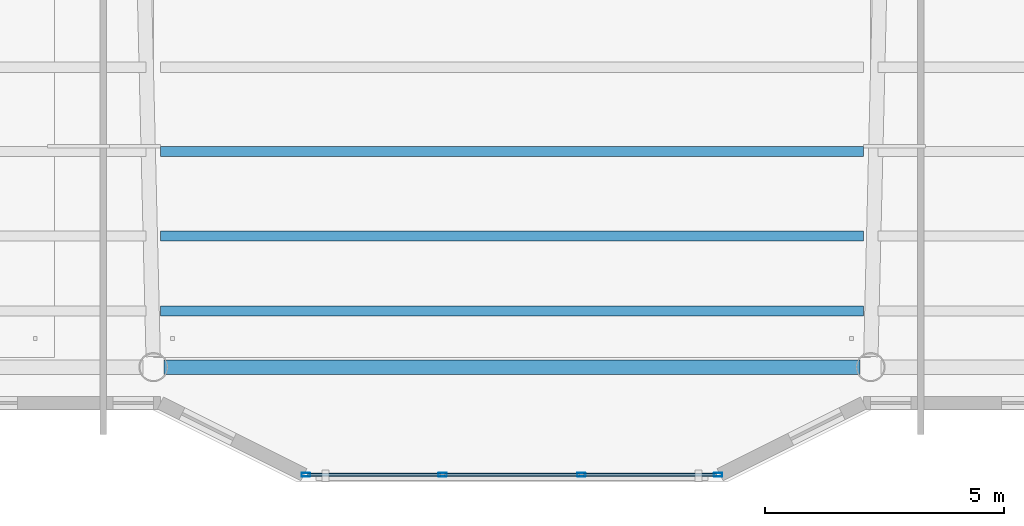
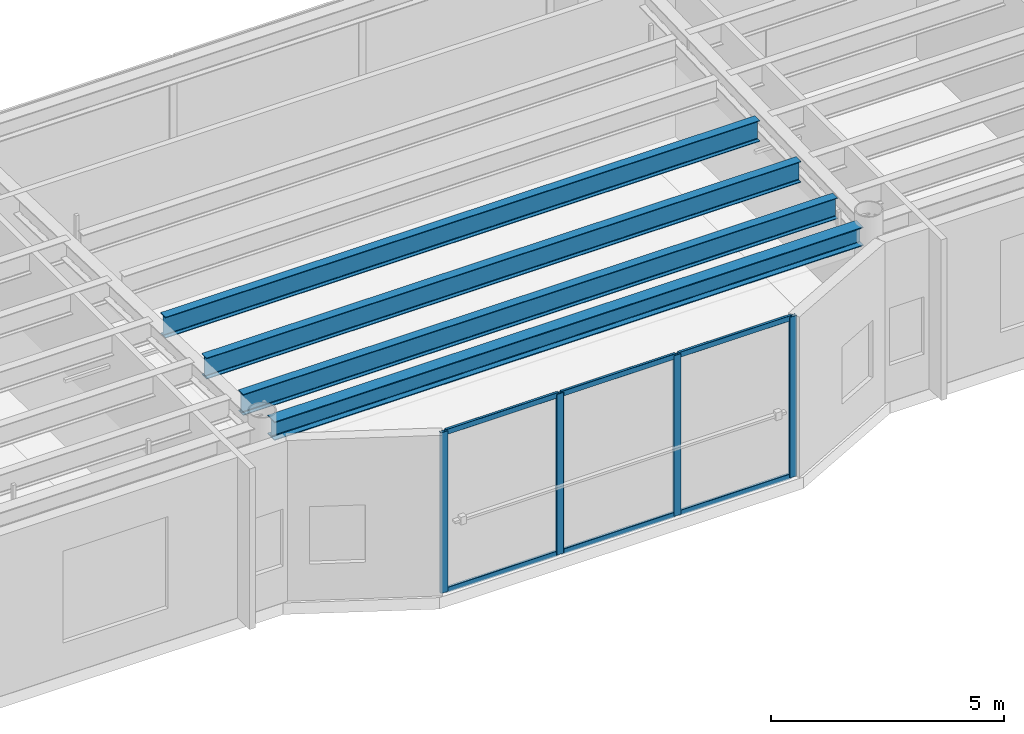
# One storey, part 5 of 33: 10 members, 4 beams, 1 element without a shape of its own.
"""IFC4 building model written with IfcOpenShell, lengths in metres."""

from ifc_helpers import new_model, si_unit, direction, frame, origin, origin_2d, place, context, subcontext, project, spatial, hollow_rectangle, i_section, extrude, material, layer, layer_set, material_profile, profile_set, type_object, element, aggregate, save


model = new_model("IFC4")

# Units and contexts
model_context = context("Model", 3, precision=1e-05, world=origin(), true_north=direction((0.0, 1.0)))
body_context = subcontext(model_context, "Body", "Model", "MODEL_VIEW")
ifc_project = project(units=[si_unit("LENGTHUNIT", "METRE"), si_unit("AREAUNIT", "SQUARE_METRE"), si_unit("VOLUMEUNIT", "CUBIC_METRE"), si_unit("PLANEANGLEUNIT", "RADIAN"), si_unit("MASSUNIT", "GRAM", prefix="KILO")], contexts=[model_context])

# Site, building, storey
site_placement = place(None, origin())
site = spatial("IfcSite", under=ifc_project, at=site_placement, CompositionType="ELEMENT")
building_placement = place(site_placement, origin())
building = spatial("IfcBuilding", under=site, at=building_placement, Name="Tarnavaz Court Tower", CompositionType="ELEMENT")
storey_placement = place(building_placement, frame((0.0, 0.0, 172.800048828125)))
storey = spatial("IfcBuildingStorey", under=building, at=storey_placement, Name="L47", CompositionType="ELEMENT", Elevation=172.800048828125)

# Beams
ifc_material_1 = material(Name="Steel S355", Category="steel")
ifc_material_profile_1 = material_profile(ifc_material_1, i_section(OverallWidth=0.2099609375, OverallDepth=0.550048828125, WebThickness=0.010986328125, FlangeThickness=0.01708984375, FilletRadius=0.02392578125, at=origin_2d()), Name="IPE 550")
ifc_profile_set_1 = profile_set([ifc_material_profile_1], Name="Steel S355")
beam_type_1 = type_object("IfcBeamType", Name="BM-J-IPE550", PredefinedType="JOIST", material=ifc_profile_set_1)
for number, where, z_axis, x_axis, name in (
    (1, (-7.35009765625, -15.89208984375, 3.925048828125), (1.0, 0.0, 0.0), (0.0, 1.0, 0.0), "L47 Beam JS3-2"),
    (2, (-7.35009765625, -17.656005859375, 3.925048828125), (1.0, 0.0, 0.0), (0.0, 1.0, 0.0), "L47 Beam JS4-2"),
    (3, (-7.35009765625, -19.22412109375, 3.925048828125), (1.0, 0.0, 0.0), (0.0, 1.0, 0.0), "L47 Beam JS5-2"),
):
    element("IfcBeam", number, at=place(storey_placement, frame(where, z_axis=z_axis, x_axis=x_axis)), inside=storey, type_object=beam_type_1, Name=name, PredefinedType="JOIST", context=body_context, shape_type="SweptSolid", body=[
        extrude(i_section(OverallWidth=0.2099609375, OverallDepth=0.550048828125, WebThickness=0.010986328125, FlangeThickness=0.01708984375, FilletRadius=0.02392578125, at=origin_2d()), origin(), (0.0, 0.0, 1.0), 14.7001953125),
    ])
ifc_material_profile_2 = material_profile(ifc_material_1, i_section(OverallWidth=0.300048828125, OverallDepth=0.489990234375, WebThickness=0.011962890625, FlangeThickness=0.02294921875, FilletRadius=0.027099609375, at=origin_2d()), Name="HEA 500")
ifc_profile_set_2 = profile_set([ifc_material_profile_2], Name="Steel S355")
beam_type_2 = type_object("IfcBeamType", Name="BM-SP-HEA500", PredefinedType="SPANDREL", material=ifc_profile_set_2)
beam_placement = place(storey_placement, frame((-7.280029296875, -20.39990234375, 3.954833984375), z_axis=(1.0, 0.0, 0.0), x_axis=(0.0, 1.0, 0.0)))
element("IfcBeam", 4, at=beam_placement, inside=storey, type_object=beam_type_2, Name="L47 Beam PR-PS-2-PS-3", PredefinedType="SPANDREL", context=body_context, shape_type="SweptSolid", body=[
    extrude(i_section(OverallWidth=0.300048828125, OverallDepth=0.489990234375, WebThickness=0.011962890625, FlangeThickness=0.02294921875, FilletRadius=0.027099609375, at=origin_2d()), origin(), (0.0, 0.0, 1.0), 14.56005859375),
])

# Curtain wall, members
ifc_material_2 = material(Name="Anodised Aluminium 6063-T6 and Solar Low-E Glazing", Category="aluminium")
ifc_layer = layer(ifc_material_2, 0.159912109375)
ifc_layer_set = layer_set([ifc_layer], Name="Anodised Aluminium 6063-T6 and Solar Low-E Glazing")
curtain_wall_type = type_object("IfcCurtainWallType", Name="CW-SYS-03", PredefinedType="NOTDEFINED", material=ifc_layer_set)
curtain_wall_placement = place(storey_placement, origin())
curtain_wall = element("IfcCurtainWall", 5, at=curtain_wall_placement, inside=storey, type_object=curtain_wall_type, Name="L47 Iwan Prow Curtain Wall 17", PredefinedType="NOTDEFINED")
ifc_material_3 = material(Name="Anodised Aluminium 6063-T6", Category="aluminium")
ifc_material_profile_3 = material_profile(ifc_material_3, hollow_rectangle(XDim=0.074951171875, YDim=0.179931640625, WallThickness=0.0048828125, InnerFilletRadius=0.0048828125, OuterFilletRadius=0.010009765625, at=origin_2d()), Name="ALU RHS 180X75X5")
ifc_profile_set_3 = profile_set([ifc_material_profile_3], Name="Anodised Aluminium 6063-T6")
member_type_1 = type_object("IfcMemberType", Name="CW-MUL-180", PredefinedType="MULLION", material=ifc_profile_set_3)
member_1_placement = place(storey_placement, frame((4.3125, -22.64990234375, 0.0), z_axis=(0.0, 0.0, 1.0), x_axis=(0.0, -1.0, 0.0)))
member_1 = element("IfcMember", 6, at=member_1_placement, type_object=member_type_1, Name="CW mullion 1", PredefinedType="MULLION", context=body_context, shape_type="SweptSolid", body=[
    extrude(hollow_rectangle(XDim=0.074951171875, YDim=0.179931640625, WallThickness=0.0048828125, InnerFilletRadius=0.0048828125, OuterFilletRadius=0.010009765625, at=origin_2d()), origin(), (0.0, 0.0, 1.0), 4.199951171875),
])
member_2_placement = place(storey_placement, frame((1.449951171875, -22.64990234375, 0.0), z_axis=(0.0, 0.0, 1.0), x_axis=(0.0, -1.0, 0.0)))
member_2 = element("IfcMember", 7, at=member_2_placement, type_object=member_type_1, Name="CW mullion 2", PredefinedType="MULLION", context=body_context, shape_type="SweptSolid", body=[
    extrude(hollow_rectangle(XDim=0.074951171875, YDim=0.179931640625, WallThickness=0.0048828125, InnerFilletRadius=0.0048828125, OuterFilletRadius=0.010009765625, at=origin_2d()), origin(), (0.0, 0.0, 1.0), 4.199951171875),
])
member_3_placement = place(storey_placement, frame((-1.449951171875, -22.64990234375, 0.0), z_axis=(0.0, 0.0, 1.0), x_axis=(0.0, -1.0, 0.0)))
member_3 = element("IfcMember", 8, at=member_3_placement, type_object=member_type_1, Name="CW mullion 3", PredefinedType="MULLION", context=body_context, shape_type="SweptSolid", body=[
    extrude(hollow_rectangle(XDim=0.074951171875, YDim=0.179931640625, WallThickness=0.0048828125, InnerFilletRadius=0.0048828125, OuterFilletRadius=0.010009765625, at=origin_2d()), origin(), (0.0, 0.0, 1.0), 4.199951171875),
])
member_4_placement = place(storey_placement, frame((-4.3125, -22.64990234375, 0.0), z_axis=(0.0, 0.0, 1.0), x_axis=(0.0, -1.0, 0.0)))
member_4 = element("IfcMember", 9, at=member_4_placement, type_object=member_type_1, Name="CW mullion 4", PredefinedType="MULLION", context=body_context, shape_type="SweptSolid", body=[
    extrude(hollow_rectangle(XDim=0.074951171875, YDim=0.179931640625, WallThickness=0.0048828125, InnerFilletRadius=0.0048828125, OuterFilletRadius=0.010009765625, at=origin_2d()), origin(), (0.0, 0.0, 1.0), 4.199951171875),
])
ifc_material_profile_4 = material_profile(ifc_material_3, hollow_rectangle(XDim=0.06494140625, YDim=0.139892578125, WallThickness=0.00390625, InnerFilletRadius=0.00390625, OuterFilletRadius=0.008056640625, at=origin_2d()), Name="ALU RHS 140X65X4")
ifc_profile_set_4 = profile_set([ifc_material_profile_4], Name="Anodised Aluminium 6063-T6")
member_type_2 = type_object("IfcMemberType", Name="CW-TRN-140", PredefinedType="USERDEFINED", material=ifc_profile_set_4)
member_5_placement = place(storey_placement, frame((4.27490234375, -22.64990234375, 0.032470703125), z_axis=(-1.0, 0.0, 0.0), x_axis=(0.0, -1.0, 0.0)))
member_5 = element("IfcMember", 10, at=member_5_placement, type_object=member_type_2, Name="CW transom 1.1", ObjectType="TRANSOM", PredefinedType="USERDEFINED", context=body_context, shape_type="SweptSolid", body=[
    extrude(hollow_rectangle(XDim=0.06494140625, YDim=0.139892578125, WallThickness=0.00390625, InnerFilletRadius=0.00390625, OuterFilletRadius=0.008056640625, at=origin_2d()), origin(), (0.0, 0.0, 1.0), 2.787353515625),
])
member_6_placement = place(storey_placement, frame((4.27490234375, -22.64990234375, 4.16748046875), z_axis=(-1.0, 0.0, 0.0), x_axis=(0.0, -1.0, 0.0)))
member_6 = element("IfcMember", 11, at=member_6_placement, type_object=member_type_2, Name="CW transom 1.2", ObjectType="TRANSOM", PredefinedType="USERDEFINED", context=body_context, shape_type="SweptSolid", body=[
    extrude(hollow_rectangle(XDim=0.06494140625, YDim=0.139892578125, WallThickness=0.00390625, InnerFilletRadius=0.00390625, OuterFilletRadius=0.008056640625, at=origin_2d()), origin(), (0.0, 0.0, 1.0), 2.787353515625),
])
member_7_placement = place(storey_placement, frame((1.41259765625, -22.64990234375, 0.032470703125), z_axis=(-1.0, 0.0, 0.0), x_axis=(0.0, -1.0, 0.0)))
member_7 = element("IfcMember", 12, at=member_7_placement, type_object=member_type_2, Name="CW transom 2.1", ObjectType="TRANSOM", PredefinedType="USERDEFINED", context=body_context, shape_type="SweptSolid", body=[
    extrude(hollow_rectangle(XDim=0.06494140625, YDim=0.139892578125, WallThickness=0.00390625, InnerFilletRadius=0.00390625, OuterFilletRadius=0.008056640625, at=origin_2d()), origin(), (0.0, 0.0, 1.0), 2.8251953125),
])
member_8_placement = place(storey_placement, frame((1.41259765625, -22.64990234375, 4.16748046875), z_axis=(-1.0, 0.0, 0.0), x_axis=(0.0, -1.0, 0.0)))
member_8 = element("IfcMember", 13, at=member_8_placement, type_object=member_type_2, Name="CW transom 2.2", ObjectType="TRANSOM", PredefinedType="USERDEFINED", context=body_context, shape_type="SweptSolid", body=[
    extrude(hollow_rectangle(XDim=0.06494140625, YDim=0.139892578125, WallThickness=0.00390625, InnerFilletRadius=0.00390625, OuterFilletRadius=0.008056640625, at=origin_2d()), origin(), (0.0, 0.0, 1.0), 2.8251953125),
])
member_9_placement = place(storey_placement, frame((-1.487548828125, -22.64990234375, 0.032470703125), z_axis=(-1.0, 0.0, 0.0), x_axis=(0.0, -1.0, 0.0)))
member_9 = element("IfcMember", 14, at=member_9_placement, type_object=member_type_2, Name="CW transom 3.1", ObjectType="TRANSOM", PredefinedType="USERDEFINED", context=body_context, shape_type="SweptSolid", body=[
    extrude(hollow_rectangle(XDim=0.06494140625, YDim=0.139892578125, WallThickness=0.00390625, InnerFilletRadius=0.00390625, OuterFilletRadius=0.008056640625, at=origin_2d()), origin(), (0.0, 0.0, 1.0), 2.787353515625),
])
member_10_placement = place(storey_placement, frame((-1.487548828125, -22.64990234375, 4.16748046875), z_axis=(-1.0, 0.0, 0.0), x_axis=(0.0, -1.0, 0.0)))
member_10 = element("IfcMember", 15, at=member_10_placement, type_object=member_type_2, Name="CW transom 3.2", ObjectType="TRANSOM", PredefinedType="USERDEFINED", context=body_context, shape_type="SweptSolid", body=[
    extrude(hollow_rectangle(XDim=0.06494140625, YDim=0.139892578125, WallThickness=0.00390625, InnerFilletRadius=0.00390625, OuterFilletRadius=0.008056640625, at=origin_2d()), origin(), (0.0, 0.0, 1.0), 2.787353515625),
])
aggregate(curtain_wall, [member_1, member_2, member_3, member_4, member_5, member_6, member_7, member_8, member_9, member_10])

save(model, "model.ifc")
